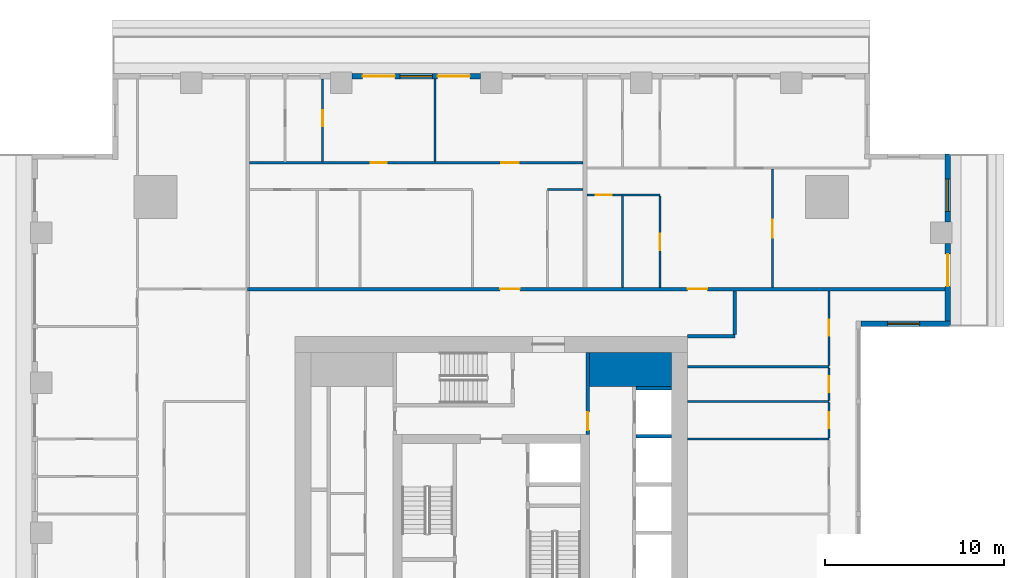
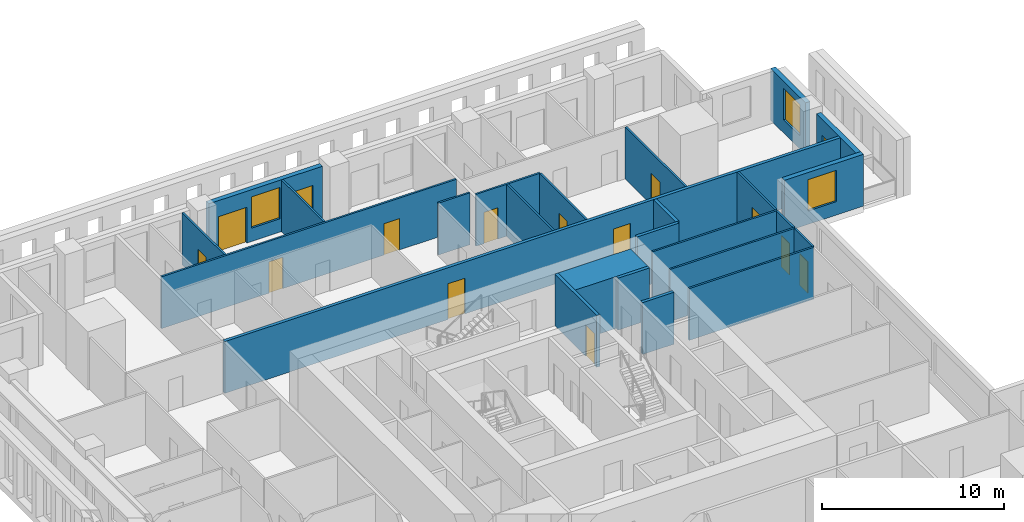
# One storey, part 8 of 15: 25 walls, 15 doors, 3 windows, 18 openings.
"""IFC4 building model written with IfcOpenShell, lengths in metres."""

import ifcopenshell
import ifcopenshell.guid

model = None  # the IFC model being written
_history = None  # IfcOwnerHistory: only IFC2X3 demands one
_inside = {}  # id of a spatial element -> (the spatial element, [elements in it])
_under = {}  # id of a project, library or spatial element -> (it, [spatial elements below it])
_declared = {}  # id of a project -> (the project, [libraries it declares])
_typed = {}  # id of a type object -> (the type object, [elements of that type])
_made_of = {}  # id of a material, layer set ... -> (it, [elements and type objects made of it])


def new_model(schema):
    """Start an empty IFC model of exactly this schema.

    Asked for "IFC4X3", IfcOpenShell would pick the latest addendum, in which some entities
    have other attributes; the version numbers below select the first issue.
    IFC2X3 requires an IfcOwnerHistory on every rooted entity: one is made here for all.
    """
    global model, _history
    if schema == "IFC4X3":
        model = ifcopenshell.file(schema_version=(4, 3, 0, 0))
    else:
        model = ifcopenshell.file(schema=schema)
    _inside.clear()
    _under.clear()
    _declared.clear()
    _typed.clear()
    _made_of.clear()
    _history = None
    if model.schema == "IFC2X3":
        org = make("IfcOrganization", Name="unknown")
        user = make(
            "IfcPersonAndOrganization",
            ThePerson=make("IfcPerson", FamilyName="unknown"),
            TheOrganization=org,
        )
        app = make(
            "IfcApplication",
            ApplicationDeveloper=org,
            Version="unknown",
            ApplicationFullName="unknown",
            ApplicationIdentifier="unknown",
        )
        _history = make(
            "IfcOwnerHistory",
            OwningUser=user,
            OwningApplication=app,
            ChangeAction="ADDED",
            CreationDate=0,
        )
    return model


def make(cls, **values):
    """One entity of the class cls with the attributes given. An attribute that is None is left unset."""
    return model.create_entity(
        cls, **{name: value for name, value in values.items() if value is not None}
    )


def rooted(cls, **values):
    """An entity with a GlobalId (a new one), such as an element, a storey or a relation."""
    return make(cls, GlobalId=ifcopenshell.guid.new(), OwnerHistory=_history, **values)


def si_unit(unit_type, name, prefix=None):
    """IfcSIUnit, for example si_unit("LENGTHUNIT", "METRE", prefix="MILLI")."""
    return make("IfcSIUnit", UnitType=unit_type, Prefix=prefix, Name=name)


def assignment(units):
    """IfcUnitAssignment: the units of a project."""
    return None if units is None else make("IfcUnitAssignment", Units=units)


def point(xyz):
    """IfcCartesianPoint."""
    return None if xyz is None else make("IfcCartesianPoint", Coordinates=xyz)


def direction(xyz):
    """IfcDirection."""
    return None if xyz is None else make("IfcDirection", DirectionRatios=xyz)


def frame(location, z_axis=None, x_axis=None):
    """IfcAxis2Placement3D, a coordinate frame: its origin and axes. An axis left out is left unset."""
    return make(
        "IfcAxis2Placement3D",
        Location=point(location),
        Axis=direction(z_axis),
        RefDirection=direction(x_axis),
    )


def frame_2d(location, x_axis=None):
    """IfcAxis2Placement2D, a coordinate frame in the plane: its origin and x axis."""
    return make(
        "IfcAxis2Placement2D", Location=point(location), RefDirection=direction(x_axis)
    )


def origin():
    """The frame at (0, 0, 0) with its axes left unset."""
    return frame((0.0, 0.0, 0.0))


def place(relative_to, where):
    """IfcLocalPlacement: puts the frame where relative to a parent placement (None: the world)."""
    return make(
        "IfcLocalPlacement", PlacementRelTo=relative_to, RelativePlacement=where
    )


def context(
    kind, dimensions, precision=None, world=None, true_north=None, identifier=None
):
    """IfcGeometricRepresentationContext, for example the 3D "Model" context."""
    return make(
        "IfcGeometricRepresentationContext",
        ContextIdentifier=identifier,
        ContextType=kind,
        CoordinateSpaceDimension=dimensions,
        Precision=precision,
        WorldCoordinateSystem=world,
        TrueNorth=true_north,
    )


def subcontext(parent, identifier, kind, view, scale=None):
    """IfcGeometricRepresentationSubContext, for example "Body" below "Model"."""
    return make(
        "IfcGeometricRepresentationSubContext",
        ContextIdentifier=identifier,
        ContextType=kind,
        ParentContext=parent,
        TargetScale=scale,
        TargetView=view,
    )


def project(units=None, contexts=None):
    """IfcProject with its units and contexts."""
    return rooted(
        "IfcProject",
        Name="project",
        RepresentationContexts=contexts,
        UnitsInContext=assignment(units),
    )


def spatial(cls, under=None, at=None, **own):
    """A site, building, storey or space (cls), placed at a placement, below another one or the project."""
    s = rooted(cls, ObjectPlacement=at, **own)
    if under is not None:
        _under.setdefault(under.id(), (under, []))[1].append(s)
    return s


def profile(cls, at=None, kind="AREA", **sizes):
    """A parametric profile (cls). Its sizes go by their IFC names, for example OverallWidth=200.0."""
    return make(cls, ProfileType=kind, Position=at, **sizes)


def rectangle(**sizes):
    """IfcRectangleProfileDef."""
    return profile("IfcRectangleProfileDef", **sizes)


def extrude(swept, where, along, depth):
    """IfcExtrudedAreaSolid: the profile swept, set in the frame where, extruded along a direction by depth."""
    return make(
        "IfcExtrudedAreaSolid",
        SweptArea=swept,
        Position=where,
        ExtrudedDirection=direction(along),
        Depth=depth,
    )


def shape(context_of_items, identifier, shape_type, items):
    """IfcShapeRepresentation: the items that make up one representation, for example the "Body"."""
    return make(
        "IfcShapeRepresentation",
        ContextOfItems=context_of_items,
        RepresentationIdentifier=identifier,
        RepresentationType=shape_type,
        Items=items,
    )


def material(Name=None, Category=None):
    """IfcMaterial."""
    return make("IfcMaterial", Name=Name, Category=Category)


def layer(
    of_material, thickness, ventilated=None, Name=None, Category=None, Priority=None
):
    """IfcMaterialLayer: one layer of a wall or slab, of a material (None: an air gap)."""
    return make(
        "IfcMaterialLayer",
        Material=of_material,
        LayerThickness=thickness,
        IsVentilated=ventilated,
        Name=Name,
        Category=Category,
        Priority=Priority,
    )


def layer_set(layers, Name=None):
    """IfcMaterialLayerSet."""
    return make("IfcMaterialLayerSet", MaterialLayers=layers, LayerSetName=Name)


def made_of(thing, what):
    """Note that an element or type object is made of a material, layer set ...; save() writes the relation."""
    if what is not None:
        _made_of.setdefault(what.id(), (what, []))[1].append(thing)
    return thing


def type_object(cls, material=None, **own):
    """A type object (cls), such as IfcWallType, which elements share."""
    return made_of(rooted(cls, **own), material)


def element(
    cls,
    number,
    at=None,
    inside=None,
    cuts=None,
    type_object=None,
    material=None,
    context=None,
    identifier="Body",
    shape_type=None,
    held_by="IfcProductDefinitionShape",
    body=None,
    shapes=None,
    **own,
):
    """One element of the class cls, such as IfcWall. Its Tag is "e" and its number.

    at: its placement. inside: the storey or other place that contains it. cuts: it is an
    opening in that element (IfcRelVoidsElement). A single representation is given by context,
    identifier, shape_type and body (its items); several are given by shapes. held_by: the class
    of the entity that holds the representations. save() writes the other relations.
    """
    e = rooted(cls, Tag="e%d" % number, ObjectPlacement=at, **own)
    if body is not None:
        shapes = [shape(context, identifier, shape_type, body)]
    if shapes is not None:
        e.Representation = make(held_by, Representations=shapes)
    if inside is not None:
        _inside.setdefault(inside.id(), (inside, []))[1].append(e)
    if cuts is not None:
        rooted(
            "IfcRelVoidsElement", RelatingBuildingElement=cuts, RelatedOpeningElement=e
        )
    if type_object is not None:
        _typed.setdefault(type_object.id(), (type_object, []))[1].append(e)
    return made_of(e, material)


def fill(opening, filler):
    """IfcRelFillsElement: the door or window that sits in an opening."""
    return rooted(
        "IfcRelFillsElement",
        RelatingOpeningElement=opening,
        RelatedBuildingElement=filler,
    )


def aggregate(whole, parts):
    """IfcRelAggregates: a whole, such as a stair, and the parts it consists of."""
    return rooted("IfcRelAggregates", RelatingObject=whole, RelatedObjects=parts)


def save(model, path):
    """Write the relations noted so far, then the file.

    IfcRelAggregates (storeys below a building ...), IfcRelContainedInSpatialStructure (elements
    in a storey), IfcRelDefinesByType, IfcRelAssociatesMaterial and IfcRelDeclares: one each for
    every whole, place, type object, material and project.
    """
    for whole, parts in _under.values():
        aggregate(whole, parts)
    for where, things in _inside.values():
        rooted(
            "IfcRelContainedInSpatialStructure",
            RelatedElements=things,
            RelatingStructure=where,
        )
    for kind, things in _typed.values():
        rooted("IfcRelDefinesByType", RelatedObjects=things, RelatingType=kind)
    for what, things in _made_of.values():
        rooted("IfcRelAssociatesMaterial", RelatedObjects=things, RelatingMaterial=what)
    for by, libraries in _declared.values():
        rooted("IfcRelDeclares", RelatingContext=by, RelatedDefinitions=libraries)
    model.write(path)


model = new_model("IFC4")

# Units and contexts
model_context = context("Model", 3, precision=1e-05, world=origin(), true_north=direction((0.0, 1.0)))
body_context = subcontext(model_context, "Body", "Model", "MODEL_VIEW")
ifc_project = project(units=[si_unit("LENGTHUNIT", "METRE"), si_unit("AREAUNIT", "SQUARE_METRE"), si_unit("VOLUMEUNIT", "CUBIC_METRE"), si_unit("PLANEANGLEUNIT", "RADIAN"), si_unit("MASSUNIT", "GRAM", prefix="KILO")], contexts=[model_context])

# Site, building, storey
site_placement = place(None, origin())
site = spatial("IfcSite", under=ifc_project, at=site_placement, CompositionType="ELEMENT")
building_placement = place(site_placement, origin())
building = spatial("IfcBuilding", under=site, at=building_placement, Name="Khepri Terraces", CompositionType="ELEMENT")
storey_placement = place(building_placement, frame((0.0, 0.0, 223.5)))
storey = spatial("IfcBuildingStorey", under=building, at=storey_placement, Name="L53", CompositionType="ELEMENT", Elevation=223.5)

# Walls
ifc_material_1 = material(Name="Concrete C50/60", Category="concrete")
ifc_layer_1 = layer(ifc_material_1, 1.89990234375, Name="Concrete C50/60", Category="concrete")
ifc_layer_set_1 = layer_set([ifc_layer_1], Name="Concrete C50/60")
wall_type_1 = type_object("IfcWallType", Name="Core wall 1900 C50/60", PredefinedType="SHEAR", material=ifc_layer_set_1)
wall_1_placement = place(storey_placement, frame((5.5, 9.14990234375, 0.0), z_axis=(0.0, 0.0, 1.0), x_axis=(1.0, 0.0, 0.0)))
element("IfcWall", 1, at=wall_1_placement, inside=storey, type_object=wall_type_1, Name="Core wall PR04 L53", PredefinedType="SHEAR", context=body_context, shape_type="SweptSolid", body=[
    extrude(rectangle(XDim=4.60009765625, YDim=1.89990234375, at=frame_2d((2.300048828125, 0.0))), origin(), (0.0, 0.0, 1.0), 3.47998046875),
])
ifc_layer_2 = layer(ifc_material_1, 0.199951171875, Name="Concrete C50/60", Category="concrete")
ifc_layer_set_2 = layer_set([ifc_layer_2], Name="Concrete C50/60")
wall_type_2 = type_object("IfcWallType", Name="Core wall 200 C50/60", PredefinedType="SHEAR", material=ifc_layer_set_2)
for number, where, z_axis, x_axis, name in (
    (2, (8.10009765625, 5.39990234375, 0.0), (0.0, 0.0, 1.0), (1.0, 0.0, 0.0), "Core wall SH14 L53"),
    (3, (8.10009765625, 8.10009765625, 0.0), (0.0, 0.0, 1.0), (1.0, 0.0, 0.0), "Core wall SH15 L53"),
):
    element("IfcWall", number, at=place(storey_placement, frame(where, z_axis=z_axis, x_axis=x_axis)), inside=storey, type_object=wall_type_2, Name=name, PredefinedType="SHEAR", context=body_context, shape_type="SweptSolid", body=[
        extrude(rectangle(XDim=2.0, YDim=0.199951171875, at=frame_2d((1.0, 0.0))), origin(), (0.0, 0.0, 1.0), 3.47998046875),
    ])

# Wall, opening, door
ifc_material_2 = material(Name="Fire-rated gypsum board partition")
ifc_layer_3 = layer(ifc_material_2, 0.199951171875, Name="Fire-rated gypsum board partition")
ifc_layer_set_3 = layer_set([ifc_layer_3], Name="Fire-rated gypsum board partition")
wall_type_3 = type_object("IfcWallType", Name="WL-CORE-PART-200", PredefinedType="PARTITIONING", material=ifc_layer_set_3)
wall_2_placement = place(storey_placement, frame((5.39990234375, 5.5, 0.0), z_axis=(0.0, 0.0, 1.0), x_axis=(0.0, 1.0, 0.0)))
wall_2 = element("IfcWall", 4, at=wall_2_placement, inside=storey, type_object=wall_type_3, Name="Core partition PT12 L53", PredefinedType="PARTITIONING", context=body_context, shape_type="SweptSolid", body=[
    extrude(rectangle(XDim=4.60009765625, YDim=0.199951171875, at=frame_2d((2.300048828125, 0.0))), origin(), (0.0, 0.0, 1.0), 3.47998046875),
])
opening_1_placement = place(wall_2_placement, frame((0.25, 0.0, 0.0)))
opening_1 = element("IfcOpeningElement", 5, at=opening_1_placement, cuts=wall_2, Name="Opening L53-C17", PredefinedType="OPENING", context=body_context, shape_type="SweptSolid", body=[
    extrude(rectangle(XDim=1.0, YDim=2.10009765625, at=frame_2d((0.5, 1.050048828125))), frame((0.0, 0.10986328125, 0.0), z_axis=(0.0, -1.0, 0.0), x_axis=(1.0, 0.0, 0.0)), (0.0, 0.0, 1.0), 0.219970703125),
])
ifc_material_3 = material(Name="Painted steel", Category="steel")
door_type_1 = type_object("IfcDoorType", Name="DR-CORE-LOBBY-1000", OperationType="NOTDEFINED", PredefinedType="DOOR", material=ifc_material_3)
door_1_placement = place(opening_1_placement, origin())
door_1 = element("IfcDoor", 6, at=door_1_placement, inside=storey, type_object=door_type_1, Name="Lobby door L53-C17", OperationType="SINGLE_SWING_LEFT", OverallHeight=2.10009765625, OverallWidth=1.0, PredefinedType="DOOR", context=body_context, shape_type="SweptSolid", body=[
    extrude(rectangle(XDim=1.0, YDim=2.10009765625, at=frame_2d((0.5, 1.050048828125))), frame((0.0, 0.02490234375, 0.0), z_axis=(0.0, -1.0, 0.0), x_axis=(1.0, 0.0, 0.0)), (0.0, 0.0, 1.0), 0.050048828125),
])
fill(opening_1, door_1)

# Walls
ifc_material_4 = material(Name="Fire-rated gypsum plasterboard partition, mineral wool")
ifc_layer_4 = layer(ifc_material_4, 0.199951171875, Name="Fire-rated gypsum plasterboard partition, mineral wool")
ifc_layer_set_4 = layer_set([ifc_layer_4], Name="Fire-rated gypsum plasterboard partition, mineral wool")
wall_type_4 = type_object("IfcWallType", Name="WL-CORR-200", PredefinedType="PARTITIONING", material=ifc_layer_set_4)
wall_3_placement = place(storey_placement, frame((11.0, 11.0, 0.0), z_axis=(0.0, 0.0, 1.0), x_axis=(1.0, 0.0, 0.0)))
element("IfcWall", 7, at=wall_3_placement, inside=storey, type_object=wall_type_4, Name="Partition P-065 L53", PredefinedType="PARTITIONING", context=body_context, shape_type="SweptSolid", body=[
    extrude(rectangle(XDim=2.64990234375, YDim=0.199951171875, at=frame_2d((1.324951171875, 0.0))), origin(), (0.0, 0.0, 1.0), 3.47998046875),
])
wall_4_placement = place(storey_placement, frame((13.64990234375, 11.10009765625, 0.0), z_axis=(0.0, 0.0, 1.0), x_axis=(0.0, 1.0, 0.0)))
element("IfcWall", 8, at=wall_4_placement, inside=storey, type_object=wall_type_4, Name="Partition P-066 L53", PredefinedType="PARTITIONING", context=body_context, shape_type="SweptSolid", body=[
    extrude(rectangle(XDim=2.449951171875, YDim=0.199951171875, at=frame_2d((1.22509765625, 0.0))), origin(), (0.0, 0.0, 1.0), 3.47998046875),
])

# Wall, openings, doors
wall_5_placement = place(storey_placement, frame((-13.64990234375, 13.64990234375, 0.0), z_axis=(0.0, 0.0, 1.0), x_axis=(1.0, 0.0, 0.0)))
wall_5 = element("IfcWall", 9, at=wall_5_placement, inside=storey, type_object=wall_type_4, Name="Partition P-070 L53", PredefinedType="PARTITIONING", context=body_context, shape_type="SweptSolid", body=[
    extrude(rectangle(XDim=39.06982421875, YDim=0.199951171875, at=frame_2d((19.534912109375, 0.0))), origin(), (0.0, 0.0, 1.0), 3.47998046875),
])
opening_2_placement = place(wall_5_placement, frame((24.64990234375, 0.0, 0.0)))
opening_2 = element("IfcOpeningElement", 10, at=opening_2_placement, cuts=wall_5, Name="Opening D1", PredefinedType="OPENING", context=body_context, shape_type="SweptSolid", body=[
    extrude(rectangle(XDim=1.10009765625, YDim=2.39990234375, at=frame_2d((0.550048828125, 1.199951171875))), frame((0.0, 0.10986328125, 0.0), z_axis=(0.0, -1.0, 0.0), x_axis=(1.0, 0.0, 0.0)), (0.0, 0.0, 1.0), 0.219970703125),
])
opening_3_placement = place(wall_5_placement, frame((14.14990234375, 0.0, 0.0)))
opening_3 = element("IfcOpeningElement", 11, at=opening_3_placement, cuts=wall_5, Name="Opening D1", PredefinedType="OPENING", context=body_context, shape_type="SweptSolid", body=[
    extrude(rectangle(XDim=1.10009765625, YDim=2.39990234375, at=frame_2d((0.550048828125, 1.199951171875))), frame((0.0, 0.10986328125, 0.0), z_axis=(0.0, -1.0, 0.0), x_axis=(1.0, 0.0, 0.0)), (0.0, 0.0, 1.0), 0.219970703125),
])
ifc_material_5 = material(Name="Solid-core timber door leaf, flat entrance door", Category="wood")
door_type_2 = type_object("IfcDoorType", Name="DR-ENT-1100", OperationType="NOTDEFINED", PredefinedType="DOOR", material=ifc_material_5)
door_2_placement = place(opening_2_placement, origin())
door_2 = element("IfcDoor", 12, at=door_2_placement, inside=storey, type_object=door_type_2, Name="Flat C1 entrance door", OperationType="SINGLE_SWING_RIGHT", OverallHeight=2.39990234375, OverallWidth=1.10009765625, PredefinedType="DOOR", context=body_context, shape_type="SweptSolid", body=[
    extrude(rectangle(XDim=1.10009765625, YDim=2.39990234375, at=frame_2d((0.550048828125, 1.199951171875))), frame((0.0, 0.02490234375, 0.0), z_axis=(0.0, -1.0, 0.0), x_axis=(1.0, 0.0, 0.0)), (0.0, 0.0, 1.0), 0.050048828125),
])
fill(opening_2, door_2)
door_3_placement = place(opening_3_placement, origin())
door_3 = element("IfcDoor", 13, at=door_3_placement, inside=storey, type_object=door_type_2, Name="Flat C2 entrance door", OperationType="SINGLE_SWING_LEFT", OverallHeight=2.39990234375, OverallWidth=1.10009765625, PredefinedType="DOOR", context=body_context, shape_type="SweptSolid", body=[
    extrude(rectangle(XDim=1.10009765625, YDim=2.39990234375, at=frame_2d((0.550048828125, 1.199951171875))), frame((0.0, 0.02490234375, 0.0), z_axis=(0.0, -1.0, 0.0), x_axis=(1.0, 0.0, 0.0)), (0.0, 0.0, 1.0), 0.050048828125),
])
fill(opening_3, door_3)

# Wall, opening, window
ifc_material_6 = material(Name="Precast concrete C50/60 warm stone", Category="masonry")
ifc_layer_5 = layer(ifc_material_6, 0.300048828125, Name="Precast concrete C50/60 warm stone", Category="masonry")
ifc_layer_set_5 = layer_set([ifc_layer_5], Name="Precast concrete C50/60 warm stone")
wall_type_5 = type_object("IfcWallType", Name="WL-EXT-PRECAST-300", PredefinedType="STANDARD", material=ifc_layer_set_5)
wall_6_placement = place(storey_placement, frame((20.719970703125, 11.699951171875, 0.0), z_axis=(0.0, 0.0, 1.0), x_axis=(1.0, 0.0, 0.0)))
wall_6 = element("IfcWall", 14, at=wall_6_placement, inside=storey, type_object=wall_type_5, Name="External wall L53 S", PredefinedType="STANDARD", context=body_context, shape_type="SweptSolid", body=[
    extrude(rectangle(XDim=5.0, YDim=0.300048828125, at=frame_2d((2.5, 0.0))), origin(), (0.0, 0.0, 1.0), 3.47998046875),
])
opening_4_placement = place(wall_6_placement, frame((1.47998046875, 0.0, 0.89990234375)))
opening_4 = element("IfcOpeningElement", 15, at=opening_4_placement, cuts=wall_6, Name="Opening W1", PredefinedType="OPENING", context=body_context, shape_type="SweptSolid", body=[
    extrude(rectangle(XDim=1.800048828125, YDim=2.10009765625, at=frame_2d((0.89990234375, 1.050048828125))), frame((0.0, 0.16015625, 0.0), z_axis=(0.0, -1.0, 0.0), x_axis=(1.0, 0.0, 0.0)), (0.0, 0.0, 1.0), 0.320068359375),
])
ifc_material_7 = material(Name="Clear glass", Category="glass")
window_type = type_object("IfcWindowType", Name="WIN-RES-1800x2100", PartitioningType="SINGLE_PANEL", PredefinedType="WINDOW", material=ifc_material_7)
window_1_placement = place(opening_4_placement, origin())
window_1 = element("IfcWindow", 16, at=window_1_placement, inside=storey, type_object=window_type, Name="Window L53 S", OverallHeight=2.10009765625, OverallWidth=1.800048828125, PartitioningType="SINGLE_PANEL", PredefinedType="WINDOW", context=body_context, shape_type="SweptSolid", body=[
    extrude(rectangle(XDim=1.800048828125, YDim=2.10009765625, at=frame_2d((0.89990234375, 1.050048828125))), frame((0.0, 0.030029296875, 0.0), z_axis=(0.0, -1.0, 0.0), x_axis=(1.0, 0.0, 0.0)), (0.0, 0.0, 1.0), 0.06005859375),
])
fill(opening_4, window_1)

# Wall, opening, door
wall_7_placement = place(storey_placement, frame((25.570068359375, 11.85009765625, 0.0), z_axis=(0.0, 0.0, 1.0), x_axis=(0.0, 1.0, 0.0)))
wall_7 = element("IfcWall", 17, at=wall_7_placement, inside=storey, type_object=wall_type_5, Name="External wall L53 E", PredefinedType="STANDARD", context=body_context, shape_type="SweptSolid", body=[
    extrude(rectangle(XDim=4.349853515625, YDim=0.300048828125, at=frame_2d((2.1748046875, 0.0))), origin(), (0.0, 0.0, 1.0), 3.47998046875),
])
opening_5_placement = place(wall_7_placement, frame((1.949951171875, 0.0, 0.0)))
opening_5 = element("IfcOpeningElement", 18, at=opening_5_placement, cuts=wall_7, Name="Opening ED-L53-03", PredefinedType="OPENING", context=body_context, shape_type="SweptSolid", body=[
    extrude(rectangle(XDim=1.800048828125, YDim=2.39990234375, at=frame_2d((0.89990234375, 1.199951171875))), frame((0.0, 0.16015625, 0.0), z_axis=(0.0, -1.0, 0.0), x_axis=(1.0, 0.0, 0.0)), (0.0, 0.0, 1.0), 0.320068359375),
])
ifc_material_8 = material(Name="Anodised aluminium bronze glazed door", Category="aluminium")
door_type_3 = type_object("IfcDoorType", Name="DR-BAL-SLIDE-1800x2400", OperationType="NOTDEFINED", PredefinedType="DOOR", material=ifc_material_8)
door_4_placement = place(opening_5_placement, origin())
door_4 = element("IfcDoor", 19, at=door_4_placement, inside=storey, type_object=door_type_3, Name="Balcony door L53 E", OperationType="SLIDING_TO_RIGHT", OverallHeight=2.39990234375, OverallWidth=1.800048828125, PredefinedType="DOOR", context=body_context, shape_type="SweptSolid", body=[
    extrude(rectangle(XDim=1.800048828125, YDim=2.39990234375, at=frame_2d((0.89990234375, 1.199951171875))), frame((0.0, 0.02490234375, 0.0), z_axis=(0.0, -1.0, 0.0), x_axis=(1.0, 0.0, 0.0)), (0.0, 0.0, 1.0), 0.050048828125),
])
fill(opening_5, door_4)

# Wall, opening, window
wall_8_placement = place(storey_placement, frame((25.570068359375, 17.39990234375, 0.0), z_axis=(0.0, 0.0, 1.0), x_axis=(0.0, 1.0, 0.0)))
wall_8 = element("IfcWall", 20, at=wall_8_placement, inside=storey, type_object=wall_type_5, Name="External wall L53 E", PredefinedType="STANDARD", context=body_context, shape_type="SweptSolid", body=[
    extrude(rectangle(XDim=3.820068359375, YDim=0.300048828125, at=frame_2d((1.91015625, 0.0))), origin(), (0.0, 0.0, 1.0), 3.47998046875),
])
opening_6_placement = place(wall_8_placement, frame((0.60009765625, 0.0, 0.89990234375)))
opening_6 = element("IfcOpeningElement", 21, at=opening_6_placement, cuts=wall_8, Name="Opening W1", PredefinedType="OPENING", context=body_context, shape_type="SweptSolid", body=[
    extrude(rectangle(XDim=1.800048828125, YDim=2.10009765625, at=frame_2d((0.89990234375, 1.050048828125))), frame((0.0, 0.16015625, 0.0), z_axis=(0.0, -1.0, 0.0), x_axis=(1.0, 0.0, 0.0)), (0.0, 0.0, 1.0), 0.320068359375),
])
window_2_placement = place(opening_6_placement, origin())
window_2 = element("IfcWindow", 22, at=window_2_placement, inside=storey, type_object=window_type, Name="Window L53 E", OverallHeight=2.10009765625, OverallWidth=1.800048828125, PartitioningType="SINGLE_PANEL", PredefinedType="WINDOW", context=body_context, shape_type="SweptSolid", body=[
    extrude(rectangle(XDim=1.800048828125, YDim=2.10009765625, at=frame_2d((0.89990234375, 1.050048828125))), frame((0.0, 0.030029296875, 0.0), z_axis=(0.0, -1.0, 0.0), x_axis=(1.0, 0.0, 0.0)), (0.0, 0.0, 1.0), 0.06005859375),
])
fill(opening_6, window_2)

# Wall, openings, doors, window
wall_9_placement = place(storey_placement, frame((-0.60009765625, 25.570068359375, 0.0), z_axis=(0.0, 0.0, 1.0), x_axis=(-1.0, 0.0, 0.0)))
wall_9 = element("IfcWall", 23, at=wall_9_placement, inside=storey, type_object=wall_type_5, Name="External wall L53 N", PredefinedType="STANDARD", context=body_context, shape_type="SweptSolid", body=[
    extrude(rectangle(XDim=7.199951171875, YDim=0.300048828125, at=frame_2d((3.60009765625, 0.0))), origin(), (0.0, 0.0, 1.0), 3.47998046875),
])
opening_7_placement = place(wall_9_placement, frame((0.60009765625, 0.0, 0.0)))
opening_7 = element("IfcOpeningElement", 24, at=opening_7_placement, cuts=wall_9, Name="Opening ED-L53-08", PredefinedType="OPENING", context=body_context, shape_type="SweptSolid", body=[
    extrude(rectangle(XDim=1.800048828125, YDim=2.39990234375, at=frame_2d((0.89990234375, 1.199951171875))), frame((0.0, 0.16015625, 0.0), z_axis=(0.0, -1.0, 0.0), x_axis=(1.0, 0.0, 0.0)), (0.0, 0.0, 1.0), 0.320068359375),
])
opening_8_placement = place(wall_9_placement, frame((2.699951171875, 0.0, 0.89990234375)))
opening_8 = element("IfcOpeningElement", 25, at=opening_8_placement, cuts=wall_9, Name="Opening W1", PredefinedType="OPENING", context=body_context, shape_type="SweptSolid", body=[
    extrude(rectangle(XDim=1.800048828125, YDim=2.10009765625, at=frame_2d((0.89990234375, 1.050048828125))), frame((0.0, 0.16015625, 0.0), z_axis=(0.0, -1.0, 0.0), x_axis=(1.0, 0.0, 0.0)), (0.0, 0.0, 1.0), 0.320068359375),
])
opening_9_placement = place(wall_9_placement, frame((4.800048828125, 0.0, 0.0)))
opening_9 = element("IfcOpeningElement", 26, at=opening_9_placement, cuts=wall_9, Name="Opening ED-L53-09", PredefinedType="OPENING", context=body_context, shape_type="SweptSolid", body=[
    extrude(rectangle(XDim=1.800048828125, YDim=2.39990234375, at=frame_2d((0.89990234375, 1.199951171875))), frame((0.0, 0.16015625, 0.0), z_axis=(0.0, -1.0, 0.0), x_axis=(1.0, 0.0, 0.0)), (0.0, 0.0, 1.0), 0.320068359375),
])
door_5_placement = place(opening_7_placement, origin())
door_5 = element("IfcDoor", 27, at=door_5_placement, inside=storey, type_object=door_type_3, Name="Balcony door L53 N", OperationType="SLIDING_TO_LEFT", OverallHeight=2.39990234375, OverallWidth=1.800048828125, PredefinedType="DOOR", context=body_context, shape_type="SweptSolid", body=[
    extrude(rectangle(XDim=1.800048828125, YDim=2.39990234375, at=frame_2d((0.89990234375, 1.199951171875))), frame((0.0, 0.02490234375, 0.0), z_axis=(0.0, -1.0, 0.0), x_axis=(1.0, 0.0, 0.0)), (0.0, 0.0, 1.0), 0.050048828125),
])
fill(opening_7, door_5)
door_6_placement = place(opening_9_placement, origin())
door_6 = element("IfcDoor", 28, at=door_6_placement, inside=storey, type_object=door_type_3, Name="Balcony door L53 N", OperationType="SLIDING_TO_RIGHT", OverallHeight=2.39990234375, OverallWidth=1.800048828125, PredefinedType="DOOR", context=body_context, shape_type="SweptSolid", body=[
    extrude(rectangle(XDim=1.800048828125, YDim=2.39990234375, at=frame_2d((0.89990234375, 1.199951171875))), frame((0.0, 0.02490234375, 0.0), z_axis=(0.0, -1.0, 0.0), x_axis=(1.0, 0.0, 0.0)), (0.0, 0.0, 1.0), 0.050048828125),
])
fill(opening_9, door_6)
window_3_placement = place(opening_8_placement, origin())
window_3 = element("IfcWindow", 29, at=window_3_placement, inside=storey, type_object=window_type, Name="Window L53 N", OverallHeight=2.10009765625, OverallWidth=1.800048828125, PartitioningType="SINGLE_PANEL", PredefinedType="WINDOW", context=body_context, shape_type="SweptSolid", body=[
    extrude(rectangle(XDim=1.800048828125, YDim=2.10009765625, at=frame_2d((0.89990234375, 1.050048828125))), frame((0.0, 0.030029296875, 0.0), z_axis=(0.0, -1.0, 0.0), x_axis=(1.0, 0.0, 0.0)), (0.0, 0.0, 1.0), 0.06005859375),
])
fill(opening_8, window_3)

# Wall
ifc_material_9 = material(Name="Gypsum plasterboard partition")
ifc_layer_6 = layer(ifc_material_9, 0.1201171875, Name="Gypsum plasterboard partition")
ifc_layer_set_6 = layer_set([ifc_layer_6], Name="Gypsum plasterboard partition")
wall_type_6 = type_object("IfcWallType", Name="WL-PART-120", PredefinedType="PARTITIONING", material=ifc_layer_set_6)
wall_10_placement = place(storey_placement, frame((11.0, 5.25, 0.0), z_axis=(0.0, 0.0, 1.0), x_axis=(1.0, 0.0, 0.0)))
element("IfcWall", 30, at=wall_10_placement, inside=storey, type_object=wall_type_6, Name="Partition P-057 L53", PredefinedType="PARTITIONING", context=body_context, shape_type="SweptSolid", body=[
    extrude(rectangle(XDim=7.919921875, YDim=0.1201171875, at=frame_2d((3.9599609375, 0.0))), origin(), (0.0, 0.0, 1.0), 3.47998046875),
])

# Wall, opening, door
wall_11_placement = place(storey_placement, frame((18.919921875, 5.31005859375, 0.0), z_axis=(0.0, 0.0, 1.0), x_axis=(0.0, 1.0, 0.0)))
wall_11 = element("IfcWall", 31, at=wall_11_placement, inside=storey, type_object=wall_type_6, Name="Partition P-059 L53", PredefinedType="PARTITIONING", context=body_context, shape_type="SweptSolid", body=[
    extrude(rectangle(XDim=1.97998046875, YDim=0.1201171875, at=frame_2d((0.989990234375, 0.0))), origin(), (0.0, 0.0, 1.0), 3.47998046875),
])
opening_10_placement = place(wall_11_placement, frame((0.5400390625, 0.0, 0.0)))
opening_10 = element("IfcOpeningElement", 32, at=opening_10_placement, cuts=wall_11, Name="Opening D4", PredefinedType="OPENING", context=body_context, shape_type="SweptSolid", body=[
    extrude(rectangle(XDim=0.89990234375, YDim=2.10009765625, at=frame_2d((0.449951171875, 1.050048828125))), frame((0.0, 0.070068359375, 0.0), z_axis=(0.0, -1.0, 0.0), x_axis=(1.0, 0.0, 0.0)), (0.0, 0.0, 1.0), 0.14013671875),
])
ifc_material_10 = material(Name="Timber door leaf, moisture resistant", Category="wood")
door_type_4 = type_object("IfcDoorType", Name="DR-WET-900", OperationType="NOTDEFINED", PredefinedType="DOOR", material=ifc_material_10)
door_7_placement = place(opening_10_placement, origin())
door_7 = element("IfcDoor", 33, at=door_7_placement, inside=storey, type_object=door_type_4, Name="Door Powder Room", OperationType="SINGLE_SWING_RIGHT", OverallHeight=2.10009765625, OverallWidth=0.89990234375, PredefinedType="DOOR", context=body_context, shape_type="SweptSolid", body=[
    extrude(rectangle(XDim=0.89990234375, YDim=2.10009765625, at=frame_2d((0.449951171875, 1.050048828125))), frame((0.0, 0.02490234375, 0.0), z_axis=(0.0, -1.0, 0.0), x_axis=(1.0, 0.0, 0.0)), (0.0, 0.0, 1.0), 0.050048828125),
])
fill(opening_10, door_7)

# Wall
wall_12_placement = place(storey_placement, frame((11.0, 7.35009765625, 0.0), z_axis=(0.0, 0.0, 1.0), x_axis=(1.0, 0.0, 0.0)))
element("IfcWall", 34, at=wall_12_placement, inside=storey, type_object=wall_type_6, Name="Partition P-061 L53", PredefinedType="PARTITIONING", context=body_context, shape_type="SweptSolid", body=[
    extrude(rectangle(XDim=7.919921875, YDim=0.1201171875, at=frame_2d((3.9599609375, 0.0))), origin(), (0.0, 0.0, 1.0), 3.47998046875),
])

# Wall, opening, door
wall_13_placement = place(storey_placement, frame((18.919921875, 7.409912109375, 0.0), z_axis=(0.0, 0.0, 1.0), x_axis=(0.0, 1.0, 0.0)))
wall_13 = element("IfcWall", 35, at=wall_13_placement, inside=storey, type_object=wall_type_6, Name="Partition P-062 L53", PredefinedType="PARTITIONING", context=body_context, shape_type="SweptSolid", body=[
    extrude(rectangle(XDim=1.830078125, YDim=0.1201171875, at=frame_2d((0.9150390625, 0.0))), origin(), (0.0, 0.0, 1.0), 3.47998046875),
])
opening_11_placement = place(wall_13_placement, frame((0.465087890625, 0.0, 0.0)))
opening_11 = element("IfcOpeningElement", 36, at=opening_11_placement, cuts=wall_13, Name="Opening D4", PredefinedType="OPENING", context=body_context, shape_type="SweptSolid", body=[
    extrude(rectangle(XDim=0.89990234375, YDim=2.10009765625, at=frame_2d((0.449951171875, 1.050048828125))), frame((0.0, 0.070068359375, 0.0), z_axis=(0.0, -1.0, 0.0), x_axis=(1.0, 0.0, 0.0)), (0.0, 0.0, 1.0), 0.14013671875),
])
door_8_placement = place(opening_11_placement, origin())
door_8 = element("IfcDoor", 37, at=door_8_placement, inside=storey, type_object=door_type_4, Name="Door Guest Bathroom", OperationType="SINGLE_SWING_LEFT", OverallHeight=2.10009765625, OverallWidth=0.89990234375, PredefinedType="DOOR", context=body_context, shape_type="SweptSolid", body=[
    extrude(rectangle(XDim=0.89990234375, YDim=2.10009765625, at=frame_2d((0.449951171875, 1.050048828125))), frame((0.0, 0.02490234375, 0.0), z_axis=(0.0, -1.0, 0.0), x_axis=(1.0, 0.0, 0.0)), (0.0, 0.0, 1.0), 0.050048828125),
])
fill(opening_11, door_8)

# Wall
wall_14_placement = place(storey_placement, frame((11.0, 9.300048828125, 0.0), z_axis=(0.0, 0.0, 1.0), x_axis=(1.0, 0.0, 0.0)))
element("IfcWall", 38, at=wall_14_placement, inside=storey, type_object=wall_type_6, Name="Partition P-063 L53", PredefinedType="PARTITIONING", context=body_context, shape_type="SweptSolid", body=[
    extrude(rectangle(XDim=7.919921875, YDim=0.1201171875, at=frame_2d((3.9599609375, 0.0))), origin(), (0.0, 0.0, 1.0), 3.47998046875),
])

# Wall, opening, door
wall_15_placement = place(storey_placement, frame((18.919921875, 9.360107421875, 0.0), z_axis=(0.0, 0.0, 1.0), x_axis=(0.0, 1.0, 0.0)))
wall_15 = element("IfcWall", 39, at=wall_15_placement, inside=storey, type_object=wall_type_6, Name="Partition P-064 L53", PredefinedType="PARTITIONING", context=body_context, shape_type="SweptSolid", body=[
    extrude(rectangle(XDim=4.18994140625, YDim=0.1201171875, at=frame_2d((2.094970703125, 0.0))), origin(), (0.0, 0.0, 1.0), 3.47998046875),
])
opening_12_placement = place(wall_15_placement, frame((1.6650390625, 0.0, 0.0)))
opening_12 = element("IfcOpeningElement", 40, at=opening_12_placement, cuts=wall_15, Name="Opening D3", PredefinedType="OPENING", context=body_context, shape_type="SweptSolid", body=[
    extrude(rectangle(XDim=0.89990234375, YDim=2.10009765625, at=frame_2d((0.449951171875, 1.050048828125))), frame((0.0, 0.070068359375, 0.0), z_axis=(0.0, -1.0, 0.0), x_axis=(1.0, 0.0, 0.0)), (0.0, 0.0, 1.0), 0.14013671875),
])
ifc_material_11 = material(Name="Timber door leaf", Category="wood")
door_type_5 = type_object("IfcDoorType", Name="DR-INT-900", OperationType="NOTDEFINED", PredefinedType="DOOR", material=ifc_material_11)
door_9_placement = place(opening_12_placement, origin())
door_9 = element("IfcDoor", 41, at=door_9_placement, inside=storey, type_object=door_type_5, Name="Door Library", OperationType="SINGLE_SWING_RIGHT", OverallHeight=2.10009765625, OverallWidth=0.89990234375, PredefinedType="DOOR", context=body_context, shape_type="SweptSolid", body=[
    extrude(rectangle(XDim=0.89990234375, YDim=2.10009765625, at=frame_2d((0.449951171875, 1.050048828125))), frame((0.0, 0.02490234375, 0.0), z_axis=(0.0, -1.0, 0.0), x_axis=(1.0, 0.0, 0.0)), (0.0, 0.0, 1.0), 0.050048828125),
])
fill(opening_12, door_9)

# Wall
wall_16_placement = place(storey_placement, frame((7.35009765625, 13.75, 0.0), z_axis=(0.0, 0.0, 1.0), x_axis=(0.0, 1.0, 0.0)))
element("IfcWall", 42, at=wall_16_placement, inside=storey, type_object=wall_type_6, Name="Partition P-078 L53", PredefinedType="PARTITIONING", context=body_context, shape_type="SweptSolid", body=[
    extrude(rectangle(XDim=5.110107421875, YDim=0.1201171875, at=frame_2d((2.55517578125, 0.0))), origin(), (0.0, 0.0, 1.0), 3.47998046875),
])

# Wall, opening, door
wall_17_placement = place(storey_placement, frame((9.449951171875, 13.75, 0.0), z_axis=(0.0, 0.0, 1.0), x_axis=(0.0, 1.0, 0.0)))
wall_17 = element("IfcWall", 43, at=wall_17_placement, inside=storey, type_object=wall_type_6, Name="Partition P-079 L53", PredefinedType="PARTITIONING", context=body_context, shape_type="SweptSolid", body=[
    extrude(rectangle(XDim=5.110107421875, YDim=0.1201171875, at=frame_2d((2.55517578125, 0.0))), origin(), (0.0, 0.0, 1.0), 3.47998046875),
])
opening_13_placement = place(wall_17_placement, frame((2.0849609375, 0.0, 0.0)))
opening_13 = element("IfcOpeningElement", 44, at=opening_13_placement, cuts=wall_17, Name="Opening D4", PredefinedType="OPENING", context=body_context, shape_type="SweptSolid", body=[
    extrude(rectangle(XDim=0.89990234375, YDim=2.10009765625, at=frame_2d((0.449951171875, 1.050048828125))), frame((0.0, 0.070068359375, 0.0), z_axis=(0.0, -1.0, 0.0), x_axis=(1.0, 0.0, 0.0)), (0.0, 0.0, 1.0), 0.14013671875),
])
door_10_placement = place(opening_13_placement, origin())
door_10 = element("IfcDoor", 45, at=door_10_placement, inside=storey, type_object=door_type_4, Name="Door Guest Bathroom", OperationType="SINGLE_SWING_LEFT", OverallHeight=2.10009765625, OverallWidth=0.89990234375, PredefinedType="DOOR", context=body_context, shape_type="SweptSolid", body=[
    extrude(rectangle(XDim=0.89990234375, YDim=2.10009765625, at=frame_2d((0.449951171875, 1.050048828125))), frame((0.0, 0.02490234375, 0.0), z_axis=(0.0, -1.0, 0.0), x_axis=(1.0, 0.0, 0.0)), (0.0, 0.0, 1.0), 0.050048828125),
])
fill(opening_13, door_10)

wall_18_placement = place(storey_placement, frame((15.75, 13.75, 0.0), z_axis=(0.0, 0.0, 1.0), x_axis=(0.0, 1.0, 0.0)))
wall_18 = element("IfcWall", 46, at=wall_18_placement, inside=storey, type_object=wall_type_6, Name="Partition P-080 L53", PredefinedType="PARTITIONING", context=body_context, shape_type="SweptSolid", body=[
    extrude(rectangle(XDim=6.610107421875, YDim=0.1201171875, at=frame_2d((3.30517578125, 0.0))), origin(), (0.0, 0.0, 1.0), 3.47998046875),
])
opening_14_placement = place(wall_18_placement, frame((2.784912109375, 0.0, 0.0)))
opening_14 = element("IfcOpeningElement", 47, at=opening_14_placement, cuts=wall_18, Name="Opening D2", PredefinedType="OPENING", context=body_context, shape_type="SweptSolid", body=[
    extrude(rectangle(XDim=1.0, YDim=2.10009765625, at=frame_2d((0.5, 1.050048828125))), frame((0.0, 0.070068359375, 0.0), z_axis=(0.0, -1.0, 0.0), x_axis=(1.0, 0.0, 0.0)), (0.0, 0.0, 1.0), 0.14013671875),
])
ifc_material_12 = material(Name="Timber door leaf, living room door", Category="wood")
door_type_6 = type_object("IfcDoorType", Name="DR-INT-1000", OperationType="NOTDEFINED", PredefinedType="DOOR", material=ifc_material_12)
door_11_placement = place(opening_14_placement, frame((1.0, 0.0, 0.0), z_axis=(0.0, 0.0, 1.0), x_axis=(-1.0, 0.0, 0.0)))
door_11 = element("IfcDoor", 48, at=door_11_placement, inside=storey, type_object=door_type_6, Name="Door Family Room", OperationType="SINGLE_SWING_RIGHT", OverallHeight=2.10009765625, OverallWidth=1.0, PredefinedType="DOOR", context=body_context, shape_type="SweptSolid", body=[
    extrude(rectangle(XDim=1.0, YDim=2.10009765625, at=frame_2d((0.5, 1.050048828125))), frame((0.0, 0.02490234375, 0.0), z_axis=(0.0, -1.0, 0.0), x_axis=(1.0, 0.0, 0.0)), (0.0, 0.0, 1.0), 0.050048828125),
])
fill(opening_14, door_11)

wall_19_placement = place(storey_placement, frame((5.35009765625, 18.919921875, 0.0), z_axis=(0.0, 0.0, 1.0), x_axis=(1.0, 0.0, 0.0)))
wall_19 = element("IfcWall", 49, at=wall_19_placement, inside=storey, type_object=wall_type_6, Name="Partition P-081 L53", PredefinedType="PARTITIONING", context=body_context, shape_type="SweptSolid", body=[
    extrude(rectangle(XDim=4.099853515625, YDim=0.1201171875, at=frame_2d((2.0498046875, 0.0))), origin(), (0.0, 0.0, 1.0), 3.47998046875),
])
opening_15_placement = place(wall_19_placement, frame((0.5, 0.0, 0.0)))
opening_15 = element("IfcOpeningElement", 50, at=opening_15_placement, cuts=wall_19, Name="Opening D3", PredefinedType="OPENING", context=body_context, shape_type="SweptSolid", body=[
    extrude(rectangle(XDim=0.89990234375, YDim=2.10009765625, at=frame_2d((0.449951171875, 1.050048828125))), frame((0.0, 0.070068359375, 0.0), z_axis=(0.0, -1.0, 0.0), x_axis=(1.0, 0.0, 0.0)), (0.0, 0.0, 1.0), 0.14013671875),
])
door_12_placement = place(opening_15_placement, frame((0.89990234375, 0.0, 0.0), z_axis=(0.0, 0.0, 1.0), x_axis=(-1.0, 0.0, 0.0)))
door_12 = element("IfcDoor", 51, at=door_12_placement, inside=storey, type_object=door_type_5, Name="Door Kitchen", OperationType="SINGLE_SWING_RIGHT", OverallHeight=2.10009765625, OverallWidth=0.89990234375, PredefinedType="DOOR", context=body_context, shape_type="SweptSolid", body=[
    extrude(rectangle(XDim=0.89990234375, YDim=2.10009765625, at=frame_2d((0.449951171875, 1.050048828125))), frame((0.0, 0.02490234375, 0.0), z_axis=(0.0, -1.0, 0.0), x_axis=(1.0, 0.0, 0.0)), (0.0, 0.0, 1.0), 0.050048828125),
])
fill(opening_15, door_12)

# Wall
wall_20_placement = place(storey_placement, frame((3.14990234375, 19.219970703125, 0.0), z_axis=(0.0, 0.0, 1.0), x_axis=(1.0, 0.0, 0.0)))
element("IfcWall", 52, at=wall_20_placement, inside=storey, type_object=wall_type_6, Name="Partition P-083 L53", PredefinedType="PARTITIONING", context=body_context, shape_type="SweptSolid", body=[
    extrude(rectangle(XDim=2.0, YDim=0.1201171875, at=frame_2d((1.0, 0.0))), origin(), (0.0, 0.0, 1.0), 3.47998046875),
])

# Wall, openings, doors
wall_21_placement = place(storey_placement, frame((-13.550048828125, 20.719970703125, 0.0), z_axis=(0.0, 0.0, 1.0), x_axis=(1.0, 0.0, 0.0)))
wall_21 = element("IfcWall", 53, at=wall_21_placement, inside=storey, type_object=wall_type_6, Name="Partition P-090 L53", PredefinedType="PARTITIONING", context=body_context, shape_type="SweptSolid", body=[
    extrude(rectangle(XDim=18.699951171875, YDim=0.1201171875, at=frame_2d((9.35009765625, 0.0))), origin(), (0.0, 0.0, 1.0), 3.47998046875),
])
opening_16_placement = place(wall_21_placement, frame((14.10009765625, 0.0, 0.0)))
opening_16 = element("IfcOpeningElement", 54, at=opening_16_placement, cuts=wall_21, Name="Opening D2", PredefinedType="OPENING", context=body_context, shape_type="SweptSolid", body=[
    extrude(rectangle(XDim=1.0, YDim=2.10009765625, at=frame_2d((0.5, 1.050048828125))), frame((0.0, 0.070068359375, 0.0), z_axis=(0.0, -1.0, 0.0), x_axis=(1.0, 0.0, 0.0)), (0.0, 0.0, 1.0), 0.14013671875),
])
opening_17_placement = place(wall_21_placement, frame((6.800048828125, 0.0, 0.0)))
opening_17 = element("IfcOpeningElement", 55, at=opening_17_placement, cuts=wall_21, Name="Opening D3", PredefinedType="OPENING", context=body_context, shape_type="SweptSolid", body=[
    extrude(rectangle(XDim=0.89990234375, YDim=2.10009765625, at=frame_2d((0.449951171875, 1.050048828125))), frame((0.0, 0.070068359375, 0.0), z_axis=(0.0, -1.0, 0.0), x_axis=(1.0, 0.0, 0.0)), (0.0, 0.0, 1.0), 0.14013671875),
])
door_13_placement = place(opening_16_placement, origin())
door_13 = element("IfcDoor", 56, at=door_13_placement, inside=storey, type_object=door_type_6, Name="Door Living Room", OperationType="SINGLE_SWING_RIGHT", OverallHeight=2.10009765625, OverallWidth=1.0, PredefinedType="DOOR", context=body_context, shape_type="SweptSolid", body=[
    extrude(rectangle(XDim=1.0, YDim=2.10009765625, at=frame_2d((0.5, 1.050048828125))), frame((0.0, 0.02490234375, 0.0), z_axis=(0.0, -1.0, 0.0), x_axis=(1.0, 0.0, 0.0)), (0.0, 0.0, 1.0), 0.050048828125),
])
fill(opening_16, door_13)
door_14_placement = place(opening_17_placement, origin())
door_14 = element("IfcDoor", 57, at=door_14_placement, inside=storey, type_object=door_type_5, Name="Door Master Bedroom", OperationType="SINGLE_SWING_LEFT", OverallHeight=2.10009765625, OverallWidth=0.89990234375, PredefinedType="DOOR", context=body_context, shape_type="SweptSolid", body=[
    extrude(rectangle(XDim=0.89990234375, YDim=2.10009765625, at=frame_2d((0.449951171875, 1.050048828125))), frame((0.0, 0.02490234375, 0.0), z_axis=(0.0, -1.0, 0.0), x_axis=(1.0, 0.0, 0.0)), (0.0, 0.0, 1.0), 0.050048828125),
])
fill(opening_17, door_14)

# Wall, opening, door
wall_22_placement = place(storey_placement, frame((-9.449951171875, 20.780029296875, 0.0), z_axis=(0.0, 0.0, 1.0), x_axis=(0.0, 1.0, 0.0)))
wall_22 = element("IfcWall", 58, at=wall_22_placement, inside=storey, type_object=wall_type_6, Name="Partition P-092 L53", PredefinedType="PARTITIONING", context=body_context, shape_type="SweptSolid", body=[
    extrude(rectangle(XDim=4.639892578125, YDim=0.1201171875, at=frame_2d((2.31982421875, 0.0))), origin(), (0.0, 0.0, 1.0), 3.47998046875),
])
opening_18_placement = place(wall_22_placement, frame((1.989990234375, 0.0, 0.0)))
opening_18 = element("IfcOpeningElement", 59, at=opening_18_placement, cuts=wall_22, Name="Opening D3", PredefinedType="OPENING", context=body_context, shape_type="SweptSolid", body=[
    extrude(rectangle(XDim=0.89990234375, YDim=2.10009765625, at=frame_2d((0.449951171875, 1.050048828125))), frame((0.0, 0.070068359375, 0.0), z_axis=(0.0, -1.0, 0.0), x_axis=(1.0, 0.0, 0.0)), (0.0, 0.0, 1.0), 0.14013671875),
])
door_15_placement = place(opening_18_placement, origin())
door_15 = element("IfcDoor", 60, at=door_15_placement, inside=storey, type_object=door_type_5, Name="Door Dressing Room", OperationType="SINGLE_SWING_RIGHT", OverallHeight=2.10009765625, OverallWidth=0.89990234375, PredefinedType="DOOR", context=body_context, shape_type="SweptSolid", body=[
    extrude(rectangle(XDim=0.89990234375, YDim=2.10009765625, at=frame_2d((0.449951171875, 1.050048828125))), frame((0.0, 0.02490234375, 0.0), z_axis=(0.0, -1.0, 0.0), x_axis=(1.0, 0.0, 0.0)), (0.0, 0.0, 1.0), 0.050048828125),
])
fill(opening_18, door_15)

# Wall
wall_23_placement = place(storey_placement, frame((-3.14990234375, 20.780029296875, 0.0), z_axis=(0.0, 0.0, 1.0), x_axis=(0.0, 1.0, 0.0)))
element("IfcWall", 61, at=wall_23_placement, inside=storey, type_object=wall_type_6, Name="Partition P-093 L53", PredefinedType="PARTITIONING", context=body_context, shape_type="SweptSolid", body=[
    extrude(rectangle(XDim=4.639892578125, YDim=0.1201171875, at=frame_2d((2.31982421875, 0.0))), origin(), (0.0, 0.0, 1.0), 3.47998046875),
])

save(model, "model.ifc")
